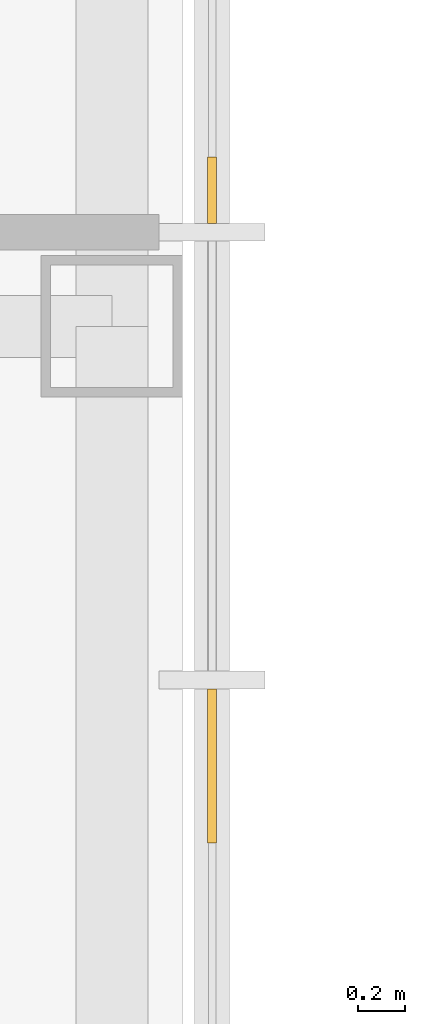
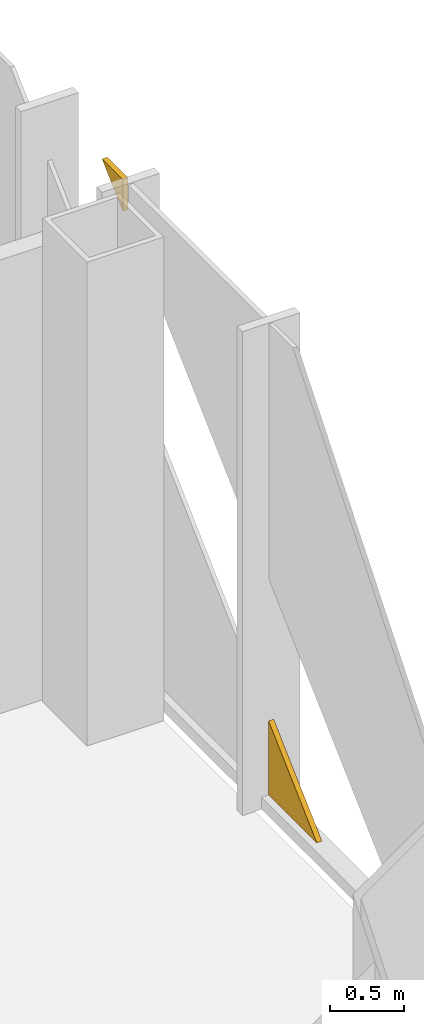
# One storey, part 14 of 16: 2 coverings.
"""IFC4 building model written with IfcOpenShell, lengths in metres."""

from ifc_helpers import new_model, si_unit, direction, frame, origin, place, context, subcontext, project, spatial, polyline, outline, extrude, material, layer, layer_set, type_object, element, save


model = new_model("IFC4")

# Units and contexts
model_context = context("Model", 3, precision=1e-05, world=origin(), true_north=direction((0.0, 1.0)))
body_context = subcontext(model_context, "Body", "Model", "MODEL_VIEW")
ifc_project = project(units=[si_unit("LENGTHUNIT", "METRE"), si_unit("AREAUNIT", "SQUARE_METRE"), si_unit("VOLUMEUNIT", "CUBIC_METRE"), si_unit("PLANEANGLEUNIT", "RADIAN"), si_unit("MASSUNIT", "GRAM", prefix="KILO")], contexts=[model_context])

# Site, building, storey
site_placement = place(None, origin())
site = spatial("IfcSite", under=ifc_project, at=site_placement, CompositionType="ELEMENT")
building_placement = place(site_placement, origin())
building = spatial("IfcBuilding", under=site, at=building_placement, Name="Malebo Sky Hospital", CompositionType="ELEMENT")
storey_placement = place(building_placement, frame((0.0, 0.0, 254.0)))
storey = spatial("IfcBuildingStorey", under=building, at=storey_placement, Name="L61", CompositionType="ELEMENT", Elevation=254.0)

# Coverings
ifc_material = material(Name="Anodised aluminium, natural silver insulated infill panel", Category="aluminium")
ifc_layer = layer(ifc_material, 0.0400390625)
ifc_layer_set = layer_set([ifc_layer], Name="BRACE INFILL PANEL 40")
covering_type = type_object("IfcCoveringType", Name="BRACE INFILL PANEL 40", PredefinedType="CLADDING", material=ifc_layer_set)
covering_1_placement = place(storey_placement, frame((81.125, 49.077880859375, 3.726806640625), z_axis=(0.0, 0.0, 1.0), x_axis=(0.0, -1.0, 0.0)))
element("IfcCovering", 1, at=covering_1_placement, inside=storey, type_object=covering_type, Name="Brace infill panel 13.1", PredefinedType="CLADDING", context=body_context, shape_type="SweptSolid", body=[
    extrude(outline(polyline([(0.140380859375, 0.0), (0.140380859375, 0.26318359375), (-0.140380859375, 0.26318359375), (0.140380859375, 0.0)])), frame((0.0, 0.02001953125, 0.0), z_axis=(0.0, -1.0, 0.0), x_axis=(1.0, 0.0, 0.0)), (0.0, 0.0, 1.0), 0.0400390625),
])
covering_2_placement = place(storey_placement, frame((81.125, 46.6357421875, 0.10009765625), z_axis=(0.0, 0.0, 1.0), x_axis=(0.0, -1.0, 0.0)))
element("IfcCovering", 2, at=covering_2_placement, inside=storey, type_object=covering_type, Name="Brace infill panel 15.1", PredefinedType="CLADDING", context=body_context, shape_type="SweptSolid", body=[
    extrude(outline(polyline([(-0.32666015625, 0.0), (0.32666015625, 0.0), (-0.32666015625, 0.61181640625), (-0.32666015625, 0.0)])), frame((0.0, 0.02001953125, 0.0), z_axis=(0.0, -1.0, 0.0), x_axis=(1.0, 0.0, 0.0)), (0.0, 0.0, 1.0), 0.0400390625),
])

save(model, "model.ifc")
